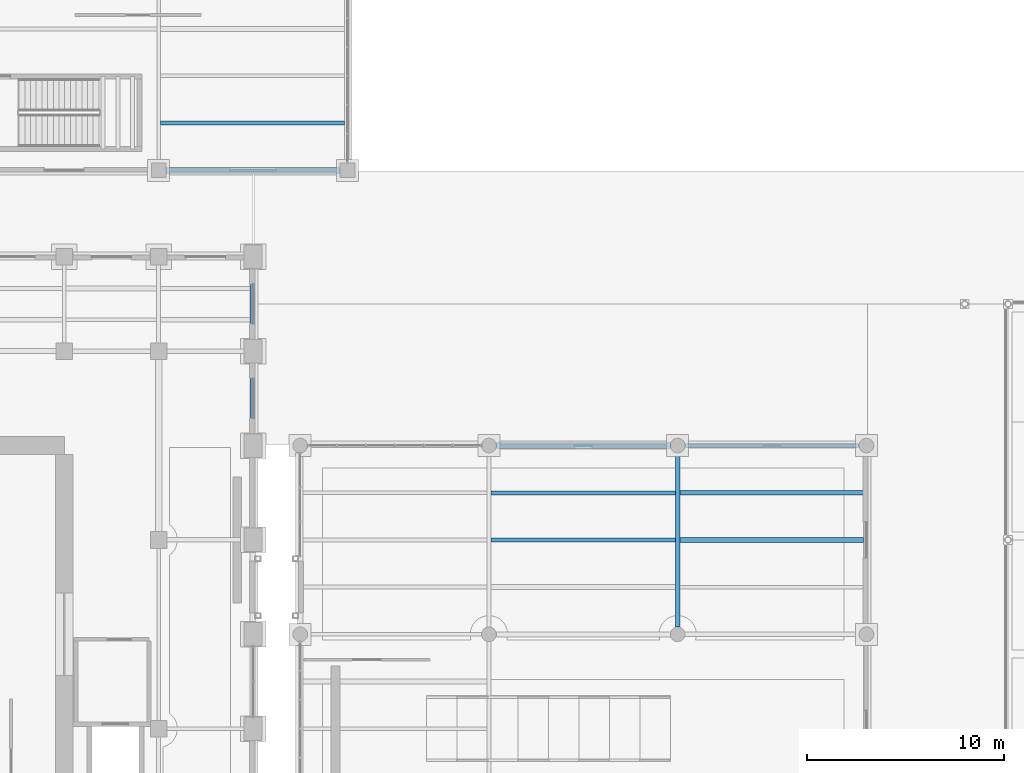
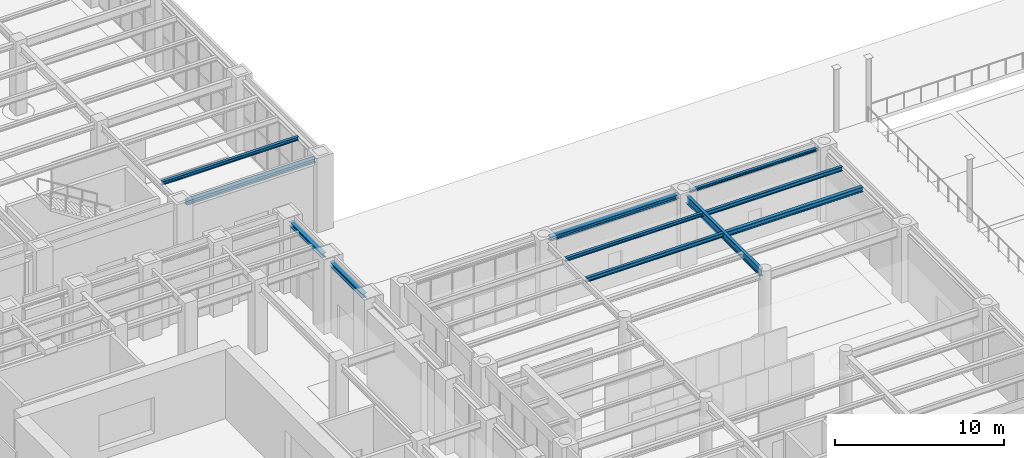
# One storey, part 65 of 164: 11 beams.
"""IFC4 building model written with IfcOpenShell, lengths in metres."""

from ifc_helpers import new_model, si_unit, direction, frame, origin, origin_2d, place, context, subcontext, project, spatial, i_section, extrude, material, material_profile, profile_set, type_object, element, save


model = new_model("IFC4")

# Units and contexts
model_context = context("Model", 3, precision=1e-05, world=origin(), true_north=direction((0.0, 1.0)))
body_context = subcontext(model_context, "Body", "Model", "MODEL_VIEW")
ifc_project = project(units=[si_unit("LENGTHUNIT", "METRE"), si_unit("AREAUNIT", "SQUARE_METRE"), si_unit("VOLUMEUNIT", "CUBIC_METRE"), si_unit("PLANEANGLEUNIT", "RADIAN"), si_unit("MASSUNIT", "GRAM", prefix="KILO")], contexts=[model_context])

# Site, building, storey
site_placement = place(None, origin())
site = spatial("IfcSite", under=ifc_project, at=site_placement, CompositionType="ELEMENT")
building_placement = place(site_placement, origin())
building = spatial("IfcBuilding", under=site, at=building_placement, Name="Mavantir Sound Aquarium", CompositionType="ELEMENT")
storey_placement = place(building_placement, origin())
storey = spatial("IfcBuildingStorey", under=building, at=storey_placement, Name="L00", CompositionType="ELEMENT", Elevation=0.0)

# Beams
ifc_material = material(Name="Structural Steel ASTM A992 Gr50", Category="steel")
ifc_material_profile_1 = material_profile(ifc_material, i_section(OverallWidth=0.202880859375, OverallDepth=0.202880859375, WebThickness=0.007080078125, FlangeThickness=0.010986328125, FilletRadius=0.010009765625, at=origin_2d()), Name="W200X46")
ifc_profile_set_1 = profile_set([ifc_material_profile_1], Name="Structural Steel ASTM A992 Gr50")
beam_type_1 = type_object("IfcBeamType", Name="BM-W200X46-E", PredefinedType="LINTEL", material=ifc_profile_set_1)
beam_1_placement = place(storey_placement, frame((55.574951171875, 69.60009765625, 4.994384765625), z_axis=(1.0, 0.0, 0.0), x_axis=(0.0, 1.0, 0.0)))
element("IfcBeam", 1, at=beam_1_placement, inside=storey, type_object=beam_type_1, Name="L00 primary beam SL-20 876", PredefinedType="LINTEL", context=body_context, shape_type="SweptSolid", body=[
    extrude(i_section(OverallWidth=0.202880859375, OverallDepth=0.202880859375, WebThickness=0.007080078125, FlangeThickness=0.010986328125, FilletRadius=0.010009765625, at=origin_2d()), origin(), (0.0, 0.0, 1.0), 8.85009765625),
])
ifc_material_profile_2 = material_profile(ifc_material, i_section(OverallWidth=0.202880859375, OverallDepth=0.251953125, WebThickness=0.008056640625, FlangeThickness=0.013427734375, FilletRadius=0.011962890625, at=origin_2d()), Name="W250X58")
ifc_profile_set_2 = profile_set([ifc_material_profile_2], Name="Structural Steel ASTM A992 Gr50")
beam_type_2 = type_object("IfcBeamType", Name="BM-W250X58-I", PredefinedType="JOIST", material=ifc_profile_set_2)
beam_2_placement = place(storey_placement, frame((45.697021484375, 67.199951171875, 4.969970703125), z_axis=(1.0, 0.0, 0.0), x_axis=(0.0, 1.0, 0.0)))
element("IfcBeam", 2, at=beam_2_placement, inside=storey, type_object=beam_type_2, Name="L00 secondary floor joist SJ-25 476", PredefinedType="JOIST", context=body_context, shape_type="SweptSolid", body=[
    extrude(i_section(OverallWidth=0.202880859375, OverallDepth=0.251953125, WebThickness=0.008056640625, FlangeThickness=0.013427734375, FilletRadius=0.011962890625, at=origin_2d()), origin(), (0.0, 0.0, 1.0), 9.39697265625),
])
beam_3_placement = place(storey_placement, frame((28.89697265625, 86.0, 4.969970703125), z_axis=(1.0, 0.0, 0.0), x_axis=(0.0, 1.0, 0.0)))
element("IfcBeam", 3, at=beam_3_placement, inside=storey, type_object=beam_type_2, Name="L00 secondary floor joist SJ-25 580", PredefinedType="JOIST", context=body_context, shape_type="SweptSolid", body=[
    extrude(i_section(OverallWidth=0.202880859375, OverallDepth=0.251953125, WebThickness=0.008056640625, FlangeThickness=0.013427734375, FilletRadius=0.011962890625, at=origin_2d()), origin(), (0.0, 0.0, 1.0), 9.3505859375),
])
ifc_material_profile_3 = material_profile(ifc_material, i_section(OverallWidth=0.205078125, OverallDepth=0.31005859375, WebThickness=0.009521484375, FlangeThickness=0.016357421875, FilletRadius=0.012939453125, at=origin_2d()), Name="W310X74")
ifc_profile_set_3 = profile_set([ifc_material_profile_3], Name="Structural Steel ASTM A992 Gr50")
beam_type_3 = type_object("IfcBeamType", Name="BM-W310X74-I", PredefinedType="JOIST", material=ifc_profile_set_3)
beam_4_placement = place(storey_placement, frame((45.697021484375, 64.800048828125, 4.94091796875), z_axis=(1.0, 0.0, 0.0), x_axis=(0.0, 1.0, 0.0)))
element("IfcBeam", 4, at=beam_4_placement, inside=storey, type_object=beam_type_3, Name="L00 secondary floor joist SJ-31 475", PredefinedType="JOIST", context=body_context, shape_type="SweptSolid", body=[
    extrude(i_section(OverallWidth=0.205078125, OverallDepth=0.31005859375, WebThickness=0.009521484375, FlangeThickness=0.016357421875, FilletRadius=0.012939453125, at=origin_2d()), origin(), (0.0, 0.0, 1.0), 9.39697265625),
])
beam_5_placement = place(storey_placement, frame((55.305908203125, 67.199951171875, 4.94091796875), z_axis=(1.0, 0.0, 0.0), x_axis=(0.0, 1.0, 0.0)))
element("IfcBeam", 5, at=beam_5_placement, inside=storey, type_object=beam_type_3, Name="L00 secondary floor joist SJ-31 479", PredefinedType="JOIST", context=body_context, shape_type="SweptSolid", body=[
    extrude(i_section(OverallWidth=0.205078125, OverallDepth=0.31005859375, WebThickness=0.009521484375, FlangeThickness=0.016357421875, FilletRadius=0.012939453125, at=origin_2d()), origin(), (0.0, 0.0, 1.0), 9.341552734375),
])
ifc_material_profile_4 = material_profile(ifc_material, i_section(OverallWidth=0.304931640625, OverallDepth=0.30810546875, WebThickness=0.010009765625, FlangeThickness=0.015380859375, FilletRadius=0.014892578125, at=origin_2d()), Name="W310X97")
ifc_profile_set_4 = profile_set([ifc_material_profile_4], Name="Structural Steel ASTM A992 Gr50")
beam_type_4 = type_object("IfcBeamType", Name="BM-W310X97-E", PredefinedType="SPANDREL", material=ifc_profile_set_4)
for number, where, z_axis, x_axis, name in (
    (6, (33.60009765625, 70.050048828125, 4.842041015625), (0.0, 1.0, 0.0), (-1.0, 0.0, 0.0), "L00 primary girder SS-31A 864"),
    (7, (33.60009765625, 74.85009765625, 4.842041015625), (0.0, 1.0, 0.0), (-1.0, 0.0, 0.0), "L00 primary girder SS-31A 865"),
):
    element("IfcBeam", number, at=place(storey_placement, frame(where, z_axis=z_axis, x_axis=x_axis)), inside=storey, type_object=beam_type_4, Name=name, PredefinedType="SPANDREL", context=body_context, shape_type="SweptSolid", body=[
        extrude(i_section(OverallWidth=0.304931640625, OverallDepth=0.30810546875, WebThickness=0.010009765625, FlangeThickness=0.015380859375, FilletRadius=0.014892578125, at=origin_2d()), origin(), (0.0, 0.0, 1.0), 3.89990234375),
    ])
for number, where, z_axis, x_axis, name in (
    (8, (45.97509765625, 69.60009765625, 4.94189453125), (1.0, 0.0, 0.0), (0.0, 1.0, 0.0), "L00 primary beam SS-31A 875"),
    (9, (29.175048828125, 83.60009765625, 4.94189453125), (1.0, 0.0, 0.0), (0.0, 1.0, 0.0), "L00 primary beam SS-31A 1033"),
):
    element("IfcBeam", number, at=place(storey_placement, frame(where, z_axis=z_axis, x_axis=x_axis)), inside=storey, type_object=beam_type_4, Name=name, PredefinedType="SPANDREL", context=body_context, shape_type="SweptSolid", body=[
        extrude(i_section(OverallWidth=0.304931640625, OverallDepth=0.30810546875, WebThickness=0.010009765625, FlangeThickness=0.015380859375, FilletRadius=0.014892578125, at=origin_2d()), origin(), (0.0, 0.0, 1.0), 8.849853515625),
    ])
ifc_material_profile_5 = material_profile(ifc_material, i_section(OverallWidth=0.25390625, OverallDepth=0.35302734375, WebThickness=0.009521484375, FlangeThickness=0.016357421875, FilletRadius=0.014892578125, at=origin_2d()), Name="W360X91")
ifc_profile_set_5 = profile_set([ifc_material_profile_5], Name="Structural Steel ASTM A992 Gr50")
beam_type_5 = type_object("IfcBeamType", Name="BM-W360X91-I", PredefinedType="JOIST", material=ifc_profile_set_5)
beam_6_placement = place(storey_placement, frame((55.305908203125, 64.800048828125, 4.91943359375), z_axis=(1.0, 0.0, 0.0), x_axis=(0.0, 1.0, 0.0)))
element("IfcBeam", 10, at=beam_6_placement, inside=storey, type_object=beam_type_5, Name="L00 secondary floor joist SJ-36 478", PredefinedType="JOIST", context=body_context, shape_type="SweptSolid", body=[
    extrude(i_section(OverallWidth=0.25390625, OverallDepth=0.35302734375, WebThickness=0.009521484375, FlangeThickness=0.016357421875, FilletRadius=0.014892578125, at=origin_2d()), origin(), (0.0, 0.0, 1.0), 9.341552734375),
])
ifc_material_profile_6 = material_profile(ifc_material, i_section(OverallWidth=0.2119140625, OverallDepth=0.5439453125, WebThickness=0.01318359375, FlangeThickness=0.021240234375, FilletRadius=0.01806640625, at=origin_2d()), Name="W530X123")
ifc_profile_set_6 = profile_set([ifc_material_profile_6], Name="Structural Steel ASTM A992 Gr50")
beam_type_6 = type_object("IfcBeamType", Name="BM-W530X123-I", PredefinedType="BEAM", material=ifc_profile_set_6)
beam_7_placement = place(storey_placement, frame((55.199951171875, 60.375, 4.823974609375), z_axis=(0.0, 1.0, 0.0), x_axis=(-1.0, 0.0, 0.0)))
element("IfcBeam", 11, at=beam_7_placement, inside=storey, type_object=beam_type_6, Name="L00 primary girder SB-53 884", PredefinedType="BEAM", context=body_context, shape_type="SweptSolid", body=[
    extrude(i_section(OverallWidth=0.2119140625, OverallDepth=0.5439453125, WebThickness=0.01318359375, FlangeThickness=0.021240234375, FilletRadius=0.01806640625, at=origin_2d()), origin(), (0.0, 0.0, 1.0), 8.85009765625),
])

save(model, "model.ifc")
